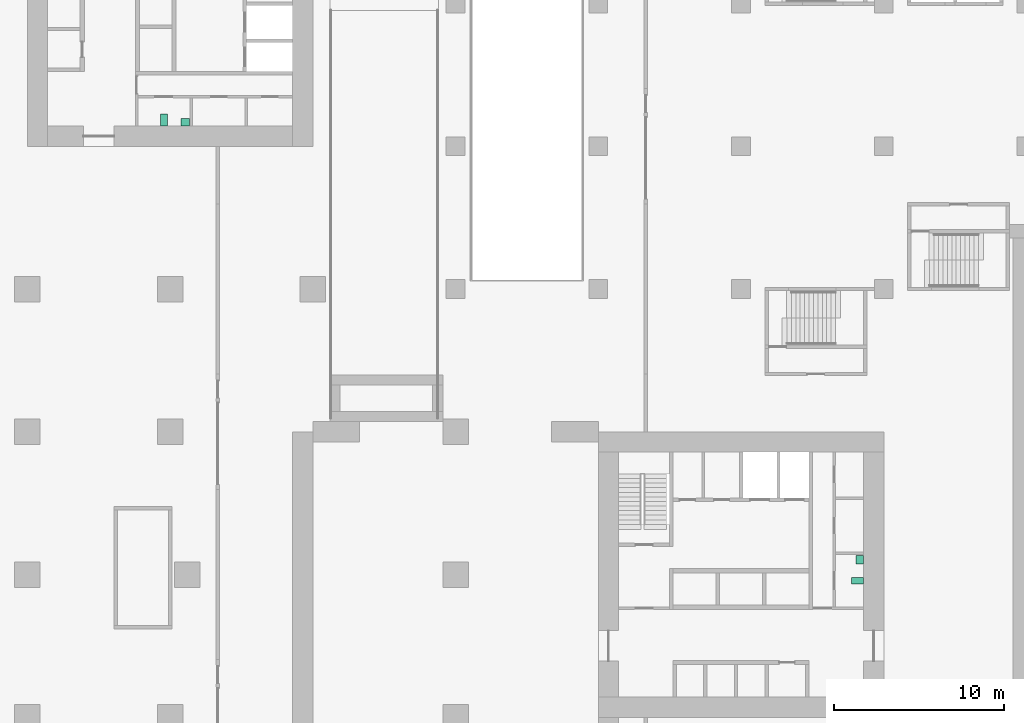
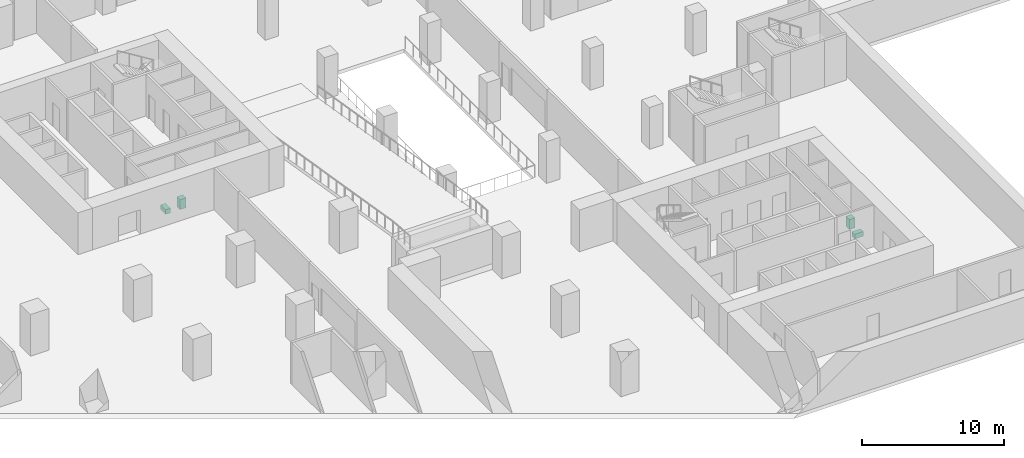
# One storey, part 18 of 18: 4 sanitary terminals.
"""IFC4 building model written with IfcOpenShell, lengths in metres."""

from ifc_helpers import new_model, si_unit, direction, frame, origin, origin_2d, place, context, subcontext, project, spatial, rectangle, extrude, material, element, save


model = new_model("IFC4")

# Units and contexts
model_context = context("Model", 3, precision=1e-05, world=origin(), true_north=direction((0.0, 1.0)))
body_context = subcontext(model_context, "Body", "Model", "MODEL_VIEW")
ifc_project = project(units=[si_unit("LENGTHUNIT", "METRE"), si_unit("AREAUNIT", "SQUARE_METRE"), si_unit("VOLUMEUNIT", "CUBIC_METRE"), si_unit("PLANEANGLEUNIT", "RADIAN"), si_unit("MASSUNIT", "GRAM", prefix="KILO")], contexts=[model_context])

# Site, building, storey
site_placement = place(None, origin())
site = spatial("IfcSite", under=ifc_project, at=site_placement, CompositionType="ELEMENT")
building_placement = place(site_placement, origin())
building = spatial("IfcBuilding", under=site, at=building_placement, Name="Vermilion Gate Residences", CompositionType="ELEMENT")
storey_placement = place(building_placement, frame((0.0, 0.0, -4.0)))
storey = spatial("IfcBuildingStorey", under=building, at=storey_placement, Name="B1", CompositionType="ELEMENT", Elevation=-4.0)

# Sanitary terminals
ifc_material = material(Name="Vitreous china")
sanitary_terminal_1_placement = place(storey_placement, frame((57.25, 16.43994140625, 0.0), z_axis=(0.0, 0.0, 1.0), x_axis=(1.0, 0.0, 0.0)))
element("IfcSanitaryTerminal", 1, at=sanitary_terminal_1_placement, inside=storey, material=ifc_material, Name="Toilet pan AB1", PredefinedType="TOILETPAN", context=body_context, shape_type="SweptSolid", body=[
    extrude(rectangle(XDim=0.699951171875, YDim=0.39990234375, at=origin_2d()), origin(), (0.0, 0.0, 1.0), 0.39990234375),
])
sanitary_terminal_2_placement = place(storey_placement, frame((57.375, 17.679931640625, 0.0), z_axis=(0.0, 0.0, 1.0), x_axis=(1.0, 0.0, 0.0)))
element("IfcSanitaryTerminal", 2, at=sanitary_terminal_2_placement, inside=storey, material=ifc_material, Name="Washbasin AB1", PredefinedType="WASHHANDBASIN", context=body_context, shape_type="SweptSolid", body=[
    extrude(rectangle(XDim=0.449951171875, YDim=0.5, at=origin_2d()), origin(), (0.0, 0.0, 1.0), 0.85009765625),
])
sanitary_terminal_3_placement = place(storey_placement, frame((16.43994140625, 43.550048828125, 0.0), z_axis=(0.0, 0.0, 1.0), x_axis=(1.0, 0.0, 0.0)))
element("IfcSanitaryTerminal", 3, at=sanitary_terminal_3_placement, inside=storey, material=ifc_material, Name="Toilet pan BB1", PredefinedType="TOILETPAN", context=body_context, shape_type="SweptSolid", body=[
    extrude(rectangle(XDim=0.39990234375, YDim=0.699951171875, at=origin_2d()), origin(), (0.0, 0.0, 1.0), 0.39990234375),
])
sanitary_terminal_4_placement = place(storey_placement, frame((17.679931640625, 43.425048828125, 0.0), z_axis=(0.0, 0.0, 1.0), x_axis=(1.0, 0.0, 0.0)))
element("IfcSanitaryTerminal", 4, at=sanitary_terminal_4_placement, inside=storey, material=ifc_material, Name="Washbasin BB1", PredefinedType="WASHHANDBASIN", context=body_context, shape_type="SweptSolid", body=[
    extrude(rectangle(XDim=0.5, YDim=0.449951171875, at=origin_2d()), origin(), (0.0, 0.0, 1.0), 0.85009765625),
])

save(model, "model.ifc")
